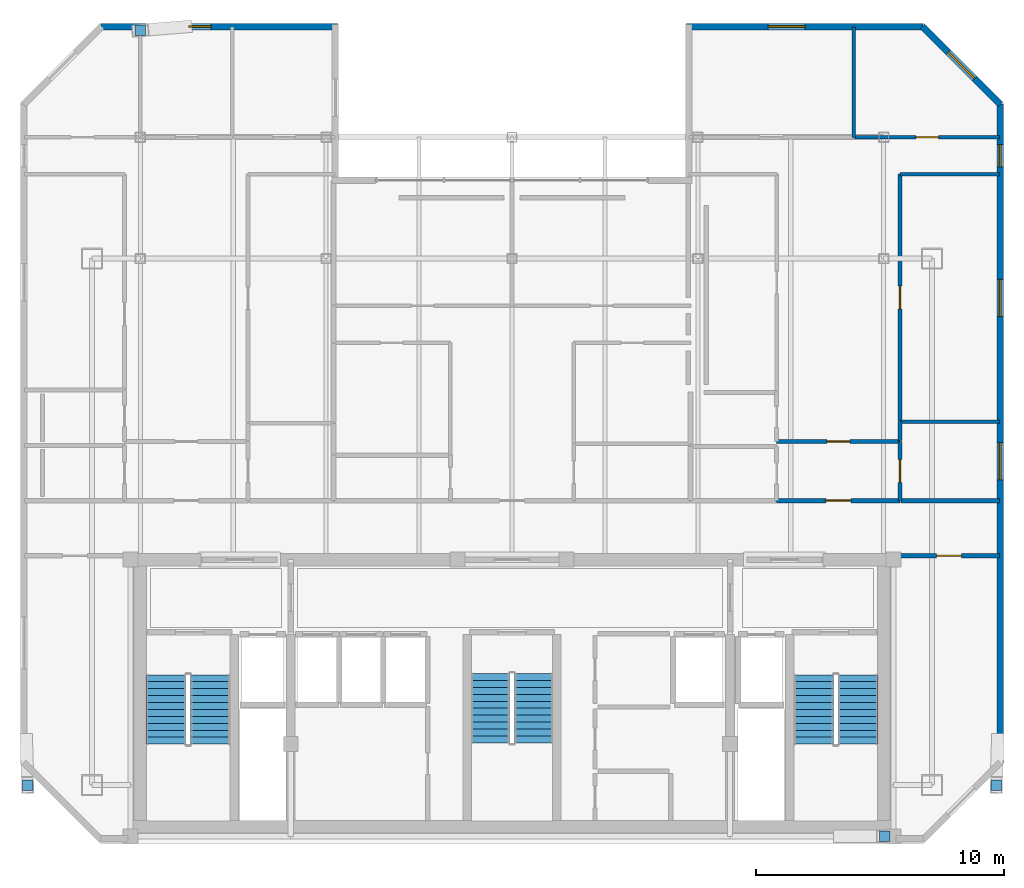
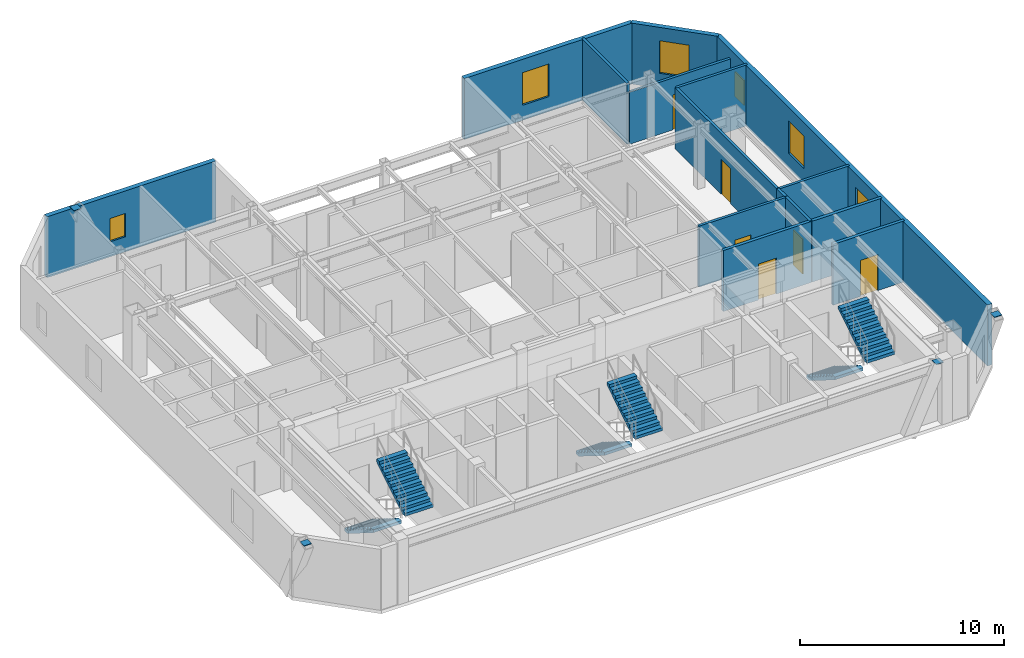
# One storey, part 9 of 10: 15 walls, 6 doors, 6 stair flights, 6 windows, 4 discrete accessories, 12 openings, 3 elements without a shape of their own.
"""IFC4 building model written with IfcOpenShell, lengths in metres."""

import ifcopenshell
import ifcopenshell.guid

model = None  # the IFC model being written
_history = None  # IfcOwnerHistory: only IFC2X3 demands one
_inside = {}  # id of a spatial element -> (the spatial element, [elements in it])
_under = {}  # id of a project, library or spatial element -> (it, [spatial elements below it])
_declared = {}  # id of a project -> (the project, [libraries it declares])
_typed = {}  # id of a type object -> (the type object, [elements of that type])
_made_of = {}  # id of a material, layer set ... -> (it, [elements and type objects made of it])


def new_model(schema):
    """Start an empty IFC model of exactly this schema.

    Asked for "IFC4X3", IfcOpenShell would pick the latest addendum, in which some entities
    have other attributes; the version numbers below select the first issue.
    IFC2X3 requires an IfcOwnerHistory on every rooted entity: one is made here for all.
    """
    global model, _history
    if schema == "IFC4X3":
        model = ifcopenshell.file(schema_version=(4, 3, 0, 0))
    else:
        model = ifcopenshell.file(schema=schema)
    _inside.clear()
    _under.clear()
    _declared.clear()
    _typed.clear()
    _made_of.clear()
    _history = None
    if model.schema == "IFC2X3":
        org = make("IfcOrganization", Name="unknown")
        user = make(
            "IfcPersonAndOrganization",
            ThePerson=make("IfcPerson", FamilyName="unknown"),
            TheOrganization=org,
        )
        app = make(
            "IfcApplication",
            ApplicationDeveloper=org,
            Version="unknown",
            ApplicationFullName="unknown",
            ApplicationIdentifier="unknown",
        )
        _history = make(
            "IfcOwnerHistory",
            OwningUser=user,
            OwningApplication=app,
            ChangeAction="ADDED",
            CreationDate=0,
        )
    return model


def make(cls, **values):
    """One entity of the class cls with the attributes given. An attribute that is None is left unset."""
    return model.create_entity(
        cls, **{name: value for name, value in values.items() if value is not None}
    )


def rooted(cls, **values):
    """An entity with a GlobalId (a new one), such as an element, a storey or a relation."""
    return make(cls, GlobalId=ifcopenshell.guid.new(), OwnerHistory=_history, **values)


def si_unit(unit_type, name, prefix=None):
    """IfcSIUnit, for example si_unit("LENGTHUNIT", "METRE", prefix="MILLI")."""
    return make("IfcSIUnit", UnitType=unit_type, Prefix=prefix, Name=name)


def assignment(units):
    """IfcUnitAssignment: the units of a project."""
    return None if units is None else make("IfcUnitAssignment", Units=units)


def point(xyz):
    """IfcCartesianPoint."""
    return None if xyz is None else make("IfcCartesianPoint", Coordinates=xyz)


def direction(xyz):
    """IfcDirection."""
    return None if xyz is None else make("IfcDirection", DirectionRatios=xyz)


def frame(location, z_axis=None, x_axis=None):
    """IfcAxis2Placement3D, a coordinate frame: its origin and axes. An axis left out is left unset."""
    return make(
        "IfcAxis2Placement3D",
        Location=point(location),
        Axis=direction(z_axis),
        RefDirection=direction(x_axis),
    )


def frame_2d(location, x_axis=None):
    """IfcAxis2Placement2D, a coordinate frame in the plane: its origin and x axis."""
    return make(
        "IfcAxis2Placement2D", Location=point(location), RefDirection=direction(x_axis)
    )


def origin():
    """The frame at (0, 0, 0) with its axes left unset."""
    return frame((0.0, 0.0, 0.0))


def origin_2d():
    """The frame at (0, 0) in the plane with its x axis left unset."""
    return frame_2d((0.0, 0.0))


def place(relative_to, where):
    """IfcLocalPlacement: puts the frame where relative to a parent placement (None: the world)."""
    return make(
        "IfcLocalPlacement", PlacementRelTo=relative_to, RelativePlacement=where
    )


def context(
    kind, dimensions, precision=None, world=None, true_north=None, identifier=None
):
    """IfcGeometricRepresentationContext, for example the 3D "Model" context."""
    return make(
        "IfcGeometricRepresentationContext",
        ContextIdentifier=identifier,
        ContextType=kind,
        CoordinateSpaceDimension=dimensions,
        Precision=precision,
        WorldCoordinateSystem=world,
        TrueNorth=true_north,
    )


def subcontext(parent, identifier, kind, view, scale=None):
    """IfcGeometricRepresentationSubContext, for example "Body" below "Model"."""
    return make(
        "IfcGeometricRepresentationSubContext",
        ContextIdentifier=identifier,
        ContextType=kind,
        ParentContext=parent,
        TargetScale=scale,
        TargetView=view,
    )


def project(units=None, contexts=None):
    """IfcProject with its units and contexts."""
    return rooted(
        "IfcProject",
        Name="project",
        RepresentationContexts=contexts,
        UnitsInContext=assignment(units),
    )


def spatial(cls, under=None, at=None, **own):
    """A site, building, storey or space (cls), placed at a placement, below another one or the project."""
    s = rooted(cls, ObjectPlacement=at, **own)
    if under is not None:
        _under.setdefault(under.id(), (under, []))[1].append(s)
    return s


def polyline(points):
    """IfcPolyline through the points."""
    return make("IfcPolyline", Points=[point(p) for p in points])


def profile(cls, at=None, kind="AREA", **sizes):
    """A parametric profile (cls). Its sizes go by their IFC names, for example OverallWidth=200.0."""
    return make(cls, ProfileType=kind, Position=at, **sizes)


def rectangle(**sizes):
    """IfcRectangleProfileDef."""
    return profile("IfcRectangleProfileDef", **sizes)


def outline(outer, holes=None, kind="AREA"):
    """IfcArbitraryClosedProfileDef: a profile drawn as a closed curve; with holes, ...WithVoids."""
    if holes is None:
        return make("IfcArbitraryClosedProfileDef", ProfileType=kind, OuterCurve=outer)
    return make(
        "IfcArbitraryProfileDefWithVoids",
        ProfileType=kind,
        OuterCurve=outer,
        InnerCurves=holes,
    )


def extrude(swept, where, along, depth):
    """IfcExtrudedAreaSolid: the profile swept, set in the frame where, extruded along a direction by depth."""
    return make(
        "IfcExtrudedAreaSolid",
        SweptArea=swept,
        Position=where,
        ExtrudedDirection=direction(along),
        Depth=depth,
    )


def shape(context_of_items, identifier, shape_type, items):
    """IfcShapeRepresentation: the items that make up one representation, for example the "Body"."""
    return make(
        "IfcShapeRepresentation",
        ContextOfItems=context_of_items,
        RepresentationIdentifier=identifier,
        RepresentationType=shape_type,
        Items=items,
    )


def material(Name=None, Category=None):
    """IfcMaterial."""
    return make("IfcMaterial", Name=Name, Category=Category)


def layer(
    of_material, thickness, ventilated=None, Name=None, Category=None, Priority=None
):
    """IfcMaterialLayer: one layer of a wall or slab, of a material (None: an air gap)."""
    return make(
        "IfcMaterialLayer",
        Material=of_material,
        LayerThickness=thickness,
        IsVentilated=ventilated,
        Name=Name,
        Category=Category,
        Priority=Priority,
    )


def layer_set(layers, Name=None):
    """IfcMaterialLayerSet."""
    return make("IfcMaterialLayerSet", MaterialLayers=layers, LayerSetName=Name)


def made_of(thing, what):
    """Note that an element or type object is made of a material, layer set ...; save() writes the relation."""
    if what is not None:
        _made_of.setdefault(what.id(), (what, []))[1].append(thing)
    return thing


def type_object(cls, material=None, **own):
    """A type object (cls), such as IfcWallType, which elements share."""
    return made_of(rooted(cls, **own), material)


def element(
    cls,
    number,
    at=None,
    inside=None,
    cuts=None,
    type_object=None,
    material=None,
    context=None,
    identifier="Body",
    shape_type=None,
    held_by="IfcProductDefinitionShape",
    body=None,
    shapes=None,
    **own,
):
    """One element of the class cls, such as IfcWall. Its Tag is "e" and its number.

    at: its placement. inside: the storey or other place that contains it. cuts: it is an
    opening in that element (IfcRelVoidsElement). A single representation is given by context,
    identifier, shape_type and body (its items); several are given by shapes. held_by: the class
    of the entity that holds the representations. save() writes the other relations.
    """
    e = rooted(cls, Tag="e%d" % number, ObjectPlacement=at, **own)
    if body is not None:
        shapes = [shape(context, identifier, shape_type, body)]
    if shapes is not None:
        e.Representation = make(held_by, Representations=shapes)
    if inside is not None:
        _inside.setdefault(inside.id(), (inside, []))[1].append(e)
    if cuts is not None:
        rooted(
            "IfcRelVoidsElement", RelatingBuildingElement=cuts, RelatedOpeningElement=e
        )
    if type_object is not None:
        _typed.setdefault(type_object.id(), (type_object, []))[1].append(e)
    return made_of(e, material)


def fill(opening, filler):
    """IfcRelFillsElement: the door or window that sits in an opening."""
    return rooted(
        "IfcRelFillsElement",
        RelatingOpeningElement=opening,
        RelatedBuildingElement=filler,
    )


def aggregate(whole, parts):
    """IfcRelAggregates: a whole, such as a stair, and the parts it consists of."""
    return rooted("IfcRelAggregates", RelatingObject=whole, RelatedObjects=parts)


def save(model, path):
    """Write the relations noted so far, then the file.

    IfcRelAggregates (storeys below a building ...), IfcRelContainedInSpatialStructure (elements
    in a storey), IfcRelDefinesByType, IfcRelAssociatesMaterial and IfcRelDeclares: one each for
    every whole, place, type object, material and project.
    """
    for whole, parts in _under.values():
        aggregate(whole, parts)
    for where, things in _inside.values():
        rooted(
            "IfcRelContainedInSpatialStructure",
            RelatedElements=things,
            RelatingStructure=where,
        )
    for kind, things in _typed.values():
        rooted("IfcRelDefinesByType", RelatedObjects=things, RelatingType=kind)
    for what, things in _made_of.values():
        rooted("IfcRelAssociatesMaterial", RelatedObjects=things, RelatingMaterial=what)
    for by, libraries in _declared.values():
        rooted("IfcRelDeclares", RelatingContext=by, RelatedDefinitions=libraries)
    model.write(path)


model = new_model("IFC4")

# Units and contexts
model_context = context("Model", 3, precision=1e-05, world=origin(), true_north=direction((0.0, 1.0)))
body_context = subcontext(model_context, "Body", "Model", "MODEL_VIEW")
ifc_project = project(units=[si_unit("LENGTHUNIT", "METRE"), si_unit("AREAUNIT", "SQUARE_METRE"), si_unit("VOLUMEUNIT", "CUBIC_METRE"), si_unit("PLANEANGLEUNIT", "RADIAN"), si_unit("MASSUNIT", "GRAM", prefix="KILO")], contexts=[model_context])

# Site, building, storey
site_placement = place(None, origin())
site = spatial("IfcSite", under=ifc_project, at=site_placement, CompositionType="ELEMENT")
building_placement = place(site_placement, origin())
building = spatial("IfcBuilding", under=site, at=building_placement, Name="Ventersveld Concourse Tower", CompositionType="ELEMENT")
storey_placement = place(building_placement, frame((0.0, 0.0, 313.050048828125)))
storey = spatial("IfcBuildingStorey", under=building, at=storey_placement, Name="L77", CompositionType="ELEMENT", Elevation=313.050048828125)

# Wall, opening, door
ifc_material_1 = material(Name="Fire-rated autoclaved aerated masonry blockwork", Category="masonry")
ifc_layer_1 = layer(ifc_material_1, 0.179931640625)
ifc_layer_set_1 = layer_set([ifc_layer_1], Name="Fire-rated autoclaved aerated masonry blockwork")
wall_type_1 = type_object("IfcWallType", Name="WL-CORR-180", PredefinedType="PARTITIONING", material=ifc_layer_set_1)
wall_1_placement = place(storey_placement, frame((44.35498046875, 11.60009765625, 0.0), z_axis=(0.0, 0.0, 1.0), x_axis=(1.0, 0.0, 0.0)))
wall_1 = element("IfcWall", 1, at=wall_1_placement, inside=storey, type_object=wall_type_1, Name="L77 Interior Partition SP-L77-SE-OFF-SP-L77-COR", PredefinedType="PARTITIONING", context=body_context, shape_type="SweptSolid", body=[
    extrude(rectangle(XDim=4.07373046875, YDim=0.179931640625, at=frame_2d((2.036865234375, 0.0))), origin(), (0.0, 0.0, 1.0), 3.64990234375),
])
opening_1_placement = place(wall_1_placement, frame((1.536865234375, 0.0, 0.0)))
opening_1 = element("IfcOpeningElement", 2, at=opening_1_placement, cuts=wall_1, Name="Opening FD3", PredefinedType="OPENING", context=body_context, shape_type="SweptSolid", body=[
    extrude(rectangle(XDim=1.0, YDim=2.14990234375, at=frame_2d((0.5, 1.074951171875))), frame((0.0, 0.10009765625, 0.0), z_axis=(0.0, -1.0, 0.0), x_axis=(1.0, 0.0, 0.0)), (0.0, 0.0, 1.0), 0.199951171875),
])
ifc_material_2 = material(Name="Solid-core hardwood veneer timber", Category="wood")
door_type_1 = type_object("IfcDoorType", Name="DR-FLAT-100", OperationType="NOTDEFINED", PredefinedType="DOOR", material=ifc_material_2)
door_1_placement = place(opening_1_placement, origin())
door_1 = element("IfcDoor", 3, at=door_1_placement, inside=storey, type_object=door_type_1, Name="L77 Interior Door SP-L77-SE-OFF to SP-L77-COR (D-L77-3526)", OperationType="SINGLE_SWING_RIGHT", OverallHeight=2.14990234375, OverallWidth=1.0, PredefinedType="DOOR", context=body_context, shape_type="SweptSolid", body=[
    extrude(rectangle(XDim=1.0, YDim=2.14990234375, at=frame_2d((0.5, 1.074951171875))), frame((0.0, 0.02490234375, 0.0), z_axis=(0.0, -1.0, 0.0), x_axis=(1.0, 0.0, 0.0)), (0.0, 0.0, 1.0), 0.050048828125),
])
fill(opening_1, door_1)

wall_2_placement = place(storey_placement, frame((39.427490234375, 13.830078125, 0.0), z_axis=(0.0, 0.0, 1.0), x_axis=(1.0, 0.0, 0.0)))
wall_2 = element("IfcWall", 4, at=wall_2_placement, inside=storey, type_object=wall_type_1, Name="L77 Interior Partition SP-L77-COR-SP-L77-77CE-FOY", PredefinedType="PARTITIONING", context=body_context, shape_type="SweptSolid", body=[
    extrude(rectangle(XDim=4.989990234375, YDim=0.179931640625, at=frame_2d((2.4951171875, 0.0))), origin(), (0.0, 0.0, 1.0), 3.64990234375),
])
opening_2_placement = place(wall_2_placement, frame((1.9951171875, 0.0, 0.0)))
opening_2 = element("IfcOpeningElement", 5, at=opening_2_placement, cuts=wall_2, Name="Opening FD3", PredefinedType="OPENING", context=body_context, shape_type="SweptSolid", body=[
    extrude(rectangle(XDim=1.0, YDim=2.14990234375, at=frame_2d((0.5, 1.074951171875))), frame((0.0, 0.10009765625, 0.0), z_axis=(0.0, -1.0, 0.0), x_axis=(1.0, 0.0, 0.0)), (0.0, 0.0, 1.0), 0.199951171875),
])
door_2_placement = place(opening_2_placement, origin())
door_2 = element("IfcDoor", 6, at=door_2_placement, inside=storey, type_object=door_type_1, Name="L77 Interior Door SP-L77-COR to SP-L77-77CE-FOY (FD-L77-3528)", OperationType="SINGLE_SWING_RIGHT", OverallHeight=2.14990234375, OverallWidth=1.0, PredefinedType="DOOR", context=body_context, shape_type="SweptSolid", body=[
    extrude(rectangle(XDim=1.0, YDim=2.14990234375, at=frame_2d((0.5, 1.074951171875))), frame((0.0, 0.02490234375, 0.0), z_axis=(0.0, -1.0, 0.0), x_axis=(1.0, 0.0, 0.0)), (0.0, 0.0, 1.0), 0.050048828125),
])
fill(opening_2, door_2)

# Wall
wall_3_placement = place(storey_placement, frame((44.447509765625, 13.830078125, 0.0), z_axis=(0.0, 0.0, 1.0), x_axis=(1.0, 0.0, 0.0)))
element("IfcWall", 7, at=wall_3_placement, inside=storey, type_object=wall_type_1, Name="L77 Interior Partition SP-L77-COR-SP-L77-77CE-KIT", PredefinedType="PARTITIONING", context=body_context, shape_type="SweptSolid", body=[
    extrude(rectangle(XDim=3.981201171875, YDim=0.179931640625, at=frame_2d((1.99072265625, 0.0))), origin(), (0.0, 0.0, 1.0), 3.64990234375),
])

# Wall, opening, door
ifc_material_3 = material(Name="Autoclaved aerated masonry blockwork", Category="masonry")
ifc_layer_2 = layer(ifc_material_3, 0.14990234375)
ifc_layer_set_2 = layer_set([ifc_layer_2], Name="Autoclaved aerated masonry blockwork")
wall_type_2 = type_object("IfcWallType", Name="WL-INT-150", PredefinedType="PARTITIONING", material=ifc_layer_set_2)
wall_4_placement = place(storey_placement, frame((39.427490234375, 16.216552734375, 0.0), z_axis=(0.0, 0.0, 1.0), x_axis=(1.0, 0.0, 0.0)))
wall_4 = element("IfcWall", 8, at=wall_4_placement, inside=storey, type_object=wall_type_2, Name="L77 Interior Partition SP-L77-77CE-FOY-SP-L77-77CE-LIV", PredefinedType="PARTITIONING", context=body_context, shape_type="SweptSolid", body=[
    extrude(rectangle(XDim=4.989990234375, YDim=0.14990234375, at=frame_2d((2.4951171875, 0.0))), origin(), (0.0, 0.0, 1.0), 3.64990234375),
])
opening_3_placement = place(wall_4_placement, frame((2.034912109375, 0.0, 0.0)))
opening_3 = element("IfcOpeningElement", 9, at=opening_3_placement, cuts=wall_4, Name="Opening ID1", PredefinedType="OPENING", context=body_context, shape_type="SweptSolid", body=[
    extrude(rectangle(XDim=0.919921875, YDim=2.10009765625, at=frame_2d((0.4599609375, 1.050048828125))), frame((0.0, 0.0849609375, 0.0), z_axis=(0.0, -1.0, 0.0), x_axis=(1.0, 0.0, 0.0)), (0.0, 0.0, 1.0), 0.169921875),
])
door_type_2 = type_object("IfcDoorType", Name="DR-ROOM-092", OperationType="NOTDEFINED", PredefinedType="DOOR", material=ifc_material_2)
door_3_placement = place(opening_3_placement, origin())
door_3 = element("IfcDoor", 10, at=door_3_placement, inside=storey, type_object=door_type_2, Name="L77 Interior Door SP-L77-77CE-FOY to SP-L77-77CE-LIV (D-L77-3539)", OperationType="SINGLE_SWING_LEFT", OverallHeight=2.10009765625, OverallWidth=0.919921875, PredefinedType="DOOR", context=body_context, shape_type="SweptSolid", body=[
    extrude(rectangle(XDim=0.919921875, YDim=2.10009765625, at=frame_2d((0.4599609375, 1.050048828125))), frame((0.0, 0.02490234375, 0.0), z_axis=(0.0, -1.0, 0.0), x_axis=(1.0, 0.0, 0.0)), (0.0, 0.0, 1.0), 0.050048828125),
])
fill(opening_3, door_3)

wall_5_placement = place(storey_placement, frame((44.41259765625, 13.824951171875, 0.0), z_axis=(0.0, 0.0, 1.0), x_axis=(0.0, 1.0, 0.0)))
wall_5 = element("IfcWall", 11, at=wall_5_placement, inside=storey, type_object=wall_type_2, Name="L77 Interior Partition SP-L77-77CE-FOY-SP-L77-77CE-KIT", PredefinedType="PARTITIONING", context=body_context, shape_type="SweptSolid", body=[
    extrude(rectangle(XDim=2.396728515625, YDim=0.14990234375, at=frame_2d((1.1982421875, 0.0))), origin(), (0.0, 0.0, 1.0), 3.64990234375),
])
opening_4_placement = place(wall_5_placement, frame((0.73828125, 0.0, 0.0)))
opening_4 = element("IfcOpeningElement", 12, at=opening_4_placement, cuts=wall_5, Name="Opening ID1", PredefinedType="OPENING", context=body_context, shape_type="SweptSolid", body=[
    extrude(rectangle(XDim=0.919921875, YDim=2.10009765625, at=frame_2d((0.4599609375, 1.050048828125))), frame((0.0, 0.0849609375, 0.0), z_axis=(0.0, -1.0, 0.0), x_axis=(1.0, 0.0, 0.0)), (0.0, 0.0, 1.0), 0.169921875),
])
door_4_placement = place(opening_4_placement, origin())
door_4 = element("IfcDoor", 13, at=door_4_placement, inside=storey, type_object=door_type_2, Name="L77 Interior Door SP-L77-77CE-FOY to SP-L77-77CE-KIT (D-L77-3541)", OperationType="SINGLE_SWING_LEFT", OverallHeight=2.10009765625, OverallWidth=0.919921875, PredefinedType="DOOR", context=body_context, shape_type="SweptSolid", body=[
    extrude(rectangle(XDim=0.919921875, YDim=2.10009765625, at=frame_2d((0.4599609375, 1.050048828125))), frame((0.0, 0.02490234375, 0.0), z_axis=(0.0, -1.0, 0.0), x_axis=(1.0, 0.0, 0.0)), (0.0, 0.0, 1.0), 0.050048828125),
])
fill(opening_4, door_4)

# Wall
wall_6_placement = place(storey_placement, frame((44.41259765625, 16.251708984375, 0.0), z_axis=(0.0, 0.0, 1.0), x_axis=(0.0, 1.0, 0.0)))
element("IfcWall", 14, at=wall_6_placement, inside=storey, type_object=wall_type_2, Name="L77 Interior Partition SP-L77-77CE-LIV-SP-L77-77CE-KIT", PredefinedType="PARTITIONING", context=body_context, shape_type="SweptSolid", body=[
    extrude(rectangle(XDim=0.767333984375, YDim=0.14990234375, at=frame_2d((0.3837890625, 0.0))), origin(), (0.0, 0.0, 1.0), 3.64990234375),
])

# Wall, opening, door
wall_7_placement = place(storey_placement, frame((44.41259765625, 17.049072265625, 0.0), z_axis=(0.0, 0.0, 1.0), x_axis=(0.0, 1.0, 0.0)))
wall_7 = element("IfcWall", 15, at=wall_7_placement, inside=storey, type_object=wall_type_2, Name="L77 Interior Partition SP-L77-77CE-LIV-SP-L77-77CE-SEMR1", PredefinedType="PARTITIONING", context=body_context, shape_type="SweptSolid", body=[
    extrude(rectangle(XDim=9.955810546875, YDim=0.14990234375, at=frame_2d((4.97802734375, 0.0))), origin(), (0.0, 0.0, 1.0), 3.64990234375),
])
opening_5_placement = place(wall_7_placement, frame((4.517822265625, 0.0, 0.0)))
opening_5 = element("IfcOpeningElement", 16, at=opening_5_placement, cuts=wall_7, Name="Opening ID1", PredefinedType="OPENING", context=body_context, shape_type="SweptSolid", body=[
    extrude(rectangle(XDim=0.919921875, YDim=2.10009765625, at=frame_2d((0.4599609375, 1.050048828125))), frame((0.0, 0.0849609375, 0.0), z_axis=(0.0, -1.0, 0.0), x_axis=(1.0, 0.0, 0.0)), (0.0, 0.0, 1.0), 0.169921875),
])
door_5_placement = place(opening_5_placement, origin())
door_5 = element("IfcDoor", 17, at=door_5_placement, inside=storey, type_object=door_type_2, Name="L77 Interior Door SP-L77-77CE-LIV to SP-L77-77CE-SEMR1 (D-L77-3544)", OperationType="SINGLE_SWING_RIGHT", OverallHeight=2.10009765625, OverallWidth=0.919921875, PredefinedType="DOOR", context=body_context, shape_type="SweptSolid", body=[
    extrude(rectangle(XDim=0.919921875, YDim=2.10009765625, at=frame_2d((0.4599609375, 1.050048828125))), frame((0.0, 0.02490234375, 0.0), z_axis=(0.0, -1.0, 0.0), x_axis=(1.0, 0.0, 0.0)), (0.0, 0.0, 1.0), 0.050048828125),
])
fill(opening_5, door_5)

# Wall
wall_8_placement = place(storey_placement, frame((44.407470703125, 27.0, 0.0), z_axis=(0.0, 0.0, 1.0), x_axis=(1.0, 0.0, 0.0)))
element("IfcWall", 18, at=wall_8_placement, inside=storey, type_object=wall_type_2, Name="L77 Interior Partition SP-L77-77CE-LIV-SP-L77-77CE-SEMR1", PredefinedType="PARTITIONING", context=body_context, shape_type="SweptSolid", body=[
    extrude(rectangle(XDim=4.021240234375, YDim=0.14990234375, at=frame_2d((2.0107421875, 0.0))), origin(), (0.0, 0.0, 1.0), 3.64990234375),
])

# Wall, opening, door
wall_9_placement = place(storey_placement, frame((42.58349609375, 28.5, 0.0), z_axis=(0.0, 0.0, 1.0), x_axis=(1.0, 0.0, 0.0)))
wall_9 = element("IfcWall", 19, at=wall_9_placement, inside=storey, type_object=wall_type_2, Name="L77 Interior Partition SP-L77-77CE-LIV-SP-L77-77CE-BR2", PredefinedType="PARTITIONING", context=body_context, shape_type="SweptSolid", body=[
    extrude(rectangle(XDim=5.84521484375, YDim=0.14990234375, at=frame_2d((2.922607421875, 0.0))), origin(), (0.0, 0.0, 1.0), 3.116943359375),
])
opening_6_placement = place(wall_9_placement, frame((2.46240234375, 0.0, 0.0)))
opening_6 = element("IfcOpeningElement", 20, at=opening_6_placement, cuts=wall_9, Name="Opening ID1", PredefinedType="OPENING", context=body_context, shape_type="SweptSolid", body=[
    extrude(rectangle(XDim=0.919921875, YDim=2.10009765625, at=frame_2d((0.4599609375, 1.050048828125))), frame((0.0, 0.0849609375, 0.0), z_axis=(0.0, -1.0, 0.0), x_axis=(1.0, 0.0, 0.0)), (0.0, 0.0, 1.0), 0.169921875),
])
door_6_placement = place(opening_6_placement, origin())
door_6 = element("IfcDoor", 21, at=door_6_placement, inside=storey, type_object=door_type_2, Name="L77 Interior Door SP-L77-77CE-LIV to SP-L77-77CE-BR2 (D-L77-3546)", OperationType="SINGLE_SWING_RIGHT", OverallHeight=2.10009765625, OverallWidth=0.919921875, PredefinedType="DOOR", context=body_context, shape_type="SweptSolid", body=[
    extrude(rectangle(XDim=0.919921875, YDim=2.10009765625, at=frame_2d((0.4599609375, 1.050048828125))), frame((0.0, 0.02490234375, 0.0), z_axis=(0.0, -1.0, 0.0), x_axis=(1.0, 0.0, 0.0)), (0.0, 0.0, 1.0), 0.050048828125),
])
fill(opening_6, door_6)

# Walls
wall_10_placement = place(storey_placement, frame((44.407470703125, 17.01416015625, 0.0), z_axis=(0.0, 0.0, 1.0), x_axis=(1.0, 0.0, 0.0)))
element("IfcWall", 22, at=wall_10_placement, inside=storey, type_object=wall_type_2, Name="L77 Interior Partition SP-L77-77CE-KIT-SP-L77-77CE-SEMR1", PredefinedType="PARTITIONING", context=body_context, shape_type="SweptSolid", body=[
    extrude(rectangle(XDim=4.021240234375, YDim=0.14990234375, at=frame_2d((2.0107421875, 0.0))), origin(), (0.0, 0.0, 1.0), 3.64990234375),
])
wall_11_placement = place(storey_placement, frame((42.548583984375, 28.4951171875, 0.0), z_axis=(0.0, 0.0, 1.0), x_axis=(0.0, 1.0, 0.0)))
element("IfcWall", 23, at=wall_11_placement, inside=storey, type_object=wall_type_2, Name="L77 Interior Partition SP-L77-77CE-BR1-SP-L77-77CE-BR2", PredefinedType="PARTITIONING", context=body_context, shape_type="SweptSolid", body=[
    extrude(rectangle(XDim=4.44287109375, YDim=0.14990234375, at=frame_2d((2.221435546875, 0.0))), origin(), (0.0, 0.0, 1.0), 3.64990234375),
])

# Wall, openings, windows
ifc_material_4 = material(Name="Precast concrete C45/55", Category="concrete")
ifc_layer_3 = layer(ifc_material_4, 0.260009765625)
ifc_layer_set_3 = layer_set([ifc_layer_3], Name="Precast concrete C45/55")
wall_type_3 = type_object("IfcWallType", Name="WL-PREC-260", PredefinedType="SOLIDWALL", material=ifc_layer_set_3)
wall_12_placement = place(storey_placement, frame((48.447998046875, 3.239990234375, 0.0), z_axis=(0.0, 0.0, 1.0), x_axis=(0.0, 1.0, 0.0)))
wall_12 = element("IfcWall", 24, at=wall_12_placement, inside=storey, type_object=wall_type_3, Name="L77 Highveld Precast Facade Wall E03", PredefinedType="SOLIDWALL", context=body_context, shape_type="SweptSolid", body=[
    extrude(rectangle(XDim=26.607421875, YDim=0.260009765625, at=frame_2d((13.3037109375, 0.0))), origin(), (0.0, 0.0, 1.0), 3.64990234375),
])
opening_7_placement = place(wall_12_placement, frame((24.06005859375, 0.0, 0.949951171875)))
opening_7 = element("IfcOpeningElement", 25, at=opening_7_placement, cuts=wall_12, Name="Opening W4", PredefinedType="OPENING", context=body_context, shape_type="SweptSolid", body=[
    extrude(rectangle(XDim=0.89990234375, YDim=1.5, at=frame_2d((0.449951171875, 0.75))), frame((0.0, 0.14013671875, 0.0), z_axis=(0.0, -1.0, 0.0), x_axis=(1.0, 0.0, 0.0)), (0.0, 0.0, 1.0), 0.280029296875),
])
opening_8_placement = place(wall_12_placement, frame((11.431884765625, 0.0, 0.89990234375)))
opening_8 = element("IfcOpeningElement", 26, at=opening_8_placement, cuts=wall_12, Name="Opening W1", PredefinedType="OPENING", context=body_context, shape_type="SweptSolid", body=[
    extrude(rectangle(XDim=1.5, YDim=1.949951171875, at=frame_2d((0.75, 0.97509765625))), frame((0.0, 0.14013671875, 0.0), z_axis=(0.0, -1.0, 0.0), x_axis=(1.0, 0.0, 0.0)), (0.0, 0.0, 1.0), 0.280029296875),
])
opening_9_placement = place(wall_12_placement, frame((18.01708984375, 0.0, 0.89990234375)))
opening_9 = element("IfcOpeningElement", 27, at=opening_9_placement, cuts=wall_12, Name="Opening W1", PredefinedType="OPENING", context=body_context, shape_type="SweptSolid", body=[
    extrude(rectangle(XDim=1.5, YDim=1.949951171875, at=frame_2d((0.75, 0.97509765625))), frame((0.0, 0.14013671875, 0.0), z_axis=(0.0, -1.0, 0.0), x_axis=(1.0, 0.0, 0.0)), (0.0, 0.0, 1.0), 0.280029296875),
])
ifc_material_5 = material(Name="Tempered acoustic Low-E IGU", Category="glass")
window_type_1 = type_object("IfcWindowType", Name="WIN-090x150", PartitioningType="SINGLE_PANEL", PredefinedType="WINDOW", material=ifc_material_5)
window_1_placement = place(opening_7_placement, origin())
window_1 = element("IfcWindow", 28, at=window_1_placement, inside=storey, type_object=window_type_1, Name="L77 Punched Low-E Window W-1097", OverallHeight=1.5, OverallWidth=0.89990234375, PartitioningType="SINGLE_PANEL", PredefinedType="WINDOW", context=body_context, shape_type="SweptSolid", body=[
    extrude(rectangle(XDim=0.89990234375, YDim=1.5, at=frame_2d((0.449951171875, 0.75))), frame((0.0, 0.030029296875, 0.0), z_axis=(0.0, -1.0, 0.0), x_axis=(1.0, 0.0, 0.0)), (0.0, 0.0, 1.0), 0.06005859375),
])
fill(opening_7, window_1)
window_type_2 = type_object("IfcWindowType", Name="WIN-150x210", PartitioningType="SINGLE_PANEL", PredefinedType="WINDOW", material=ifc_material_5)
window_2_placement = place(opening_8_placement, origin())
window_2 = element("IfcWindow", 29, at=window_2_placement, inside=storey, type_object=window_type_2, Name="L77 Punched Low-E Window W-1098", OverallHeight=1.949951171875, OverallWidth=1.5, PartitioningType="SINGLE_PANEL", PredefinedType="WINDOW", context=body_context, shape_type="SweptSolid", body=[
    extrude(rectangle(XDim=1.5, YDim=1.949951171875, at=frame_2d((0.75, 0.97509765625))), frame((0.0, 0.030029296875, 0.0), z_axis=(0.0, -1.0, 0.0), x_axis=(1.0, 0.0, 0.0)), (0.0, 0.0, 1.0), 0.06005859375),
])
fill(opening_8, window_2)
window_3_placement = place(opening_9_placement, origin())
window_3 = element("IfcWindow", 30, at=window_3_placement, inside=storey, type_object=window_type_2, Name="L77 Punched Low-E Window W-1099", OverallHeight=1.949951171875, OverallWidth=1.5, PartitioningType="SINGLE_PANEL", PredefinedType="WINDOW", context=body_context, shape_type="SweptSolid", body=[
    extrude(rectangle(XDim=1.5, YDim=1.949951171875, at=frame_2d((0.75, 0.97509765625))), frame((0.0, 0.030029296875, 0.0), z_axis=(0.0, -1.0, 0.0), x_axis=(1.0, 0.0, 0.0)), (0.0, 0.0, 1.0), 0.06005859375),
])
fill(opening_9, window_3)

# Wall, opening, window
wall_13_placement = place(storey_placement, frame((48.4580078125, 29.823974609375, 0.0), z_axis=(0.0, 0.0, 1.0), x_axis=(-0.707134240044, 0.707079321262, 0.0)))
wall_13 = element("IfcWall", 31, at=wall_13_placement, inside=storey, type_object=wall_type_3, Name="L77 Highveld Precast Facade Wall E04", PredefinedType="SOLIDWALL", context=body_context, shape_type="SweptSolid", body=[
    extrude(rectangle(XDim=4.445556640625, YDim=0.260009765625, at=frame_2d((2.22265625, 0.0))), origin(), (0.0, 0.0, 1.0), 3.64990234375),
])
opening_10_placement = place(wall_13_placement, frame((1.47265625, 0.0, 0.89990234375)))
opening_10 = element("IfcOpeningElement", 32, at=opening_10_placement, cuts=wall_13, Name="Opening W1", PredefinedType="OPENING", context=body_context, shape_type="SweptSolid", body=[
    extrude(rectangle(XDim=1.5, YDim=1.949951171875, at=frame_2d((0.75, 0.97509765625))), frame((0.0, 0.14013671875, 0.0), z_axis=(0.0, -1.0, 0.0), x_axis=(1.0, 0.0, 0.0)), (0.0, 0.0, 1.0), 0.280029296875),
])
window_4_placement = place(opening_10_placement, origin())
window_4 = element("IfcWindow", 33, at=window_4_placement, inside=storey, type_object=window_type_2, Name="L77 Punched Low-E Window W-1101", OverallHeight=1.949951171875, OverallWidth=1.5, PartitioningType="SINGLE_PANEL", PredefinedType="WINDOW", context=body_context, shape_type="SweptSolid", body=[
    extrude(rectangle(XDim=1.5, YDim=1.949951171875, at=frame_2d((0.75, 0.97509765625))), frame((0.0, 0.030029296875, 0.0), z_axis=(0.0, -1.0, 0.0), x_axis=(1.0, 0.0, 0.0)), (0.0, 0.0, 1.0), 0.06005859375),
])
fill(opening_10, window_4)

wall_14_placement = place(storey_placement, frame((45.338134765625, 32.95751953125, 0.0), z_axis=(0.0, 0.0, 1.0), x_axis=(-1.0, 0.0, 0.0)))
wall_14 = element("IfcWall", 34, at=wall_14_placement, inside=storey, type_object=wall_type_3, Name="L77 Highveld Precast Facade Wall E05", PredefinedType="SOLIDWALL", context=body_context, shape_type="SweptSolid", body=[
    extrude(rectangle(XDim=9.548095703125, YDim=0.260009765625, at=frame_2d((4.77392578125, 0.0))), origin(), (0.0, 0.0, 1.0), 3.64990234375),
])
opening_11_placement = place(wall_14_placement, frame((4.753662109375, 0.0, 0.89990234375)))
opening_11 = element("IfcOpeningElement", 35, at=opening_11_placement, cuts=wall_14, Name="Opening W1", PredefinedType="OPENING", context=body_context, shape_type="SweptSolid", body=[
    extrude(rectangle(XDim=1.5, YDim=1.949951171875, at=frame_2d((0.75, 0.97509765625))), frame((0.0, 0.14013671875, 0.0), z_axis=(0.0, -1.0, 0.0), x_axis=(1.0, 0.0, 0.0)), (0.0, 0.0, 1.0), 0.280029296875),
])
window_5_placement = place(opening_11_placement, origin())
window_5 = element("IfcWindow", 36, at=window_5_placement, inside=storey, type_object=window_type_2, Name="L77 Punched Low-E Window W-1100", OverallHeight=1.949951171875, OverallWidth=1.5, PartitioningType="SINGLE_PANEL", PredefinedType="WINDOW", context=body_context, shape_type="SweptSolid", body=[
    extrude(rectangle(XDim=1.5, YDim=1.949951171875, at=frame_2d((0.75, 0.97509765625))), frame((0.0, 0.030029296875, 0.0), z_axis=(0.0, -1.0, 0.0), x_axis=(1.0, 0.0, 0.0)), (0.0, 0.0, 1.0), 0.06005859375),
])
fill(opening_11, window_5)

wall_15_placement = place(storey_placement, frame((21.7099609375, 32.95751953125, 0.0), z_axis=(0.0, 0.0, 1.0), x_axis=(-1.0, 0.0, 0.0)))
wall_15 = element("IfcWall", 37, at=wall_15_placement, inside=storey, type_object=wall_type_3, Name="L77 Highveld Precast Facade Wall E09", PredefinedType="SOLIDWALL", context=body_context, shape_type="SweptSolid", body=[
    extrude(rectangle(XDim=9.548095703125, YDim=0.260009765625, at=frame_2d((4.77392578125, 0.0))), origin(), (0.0, 0.0, 1.0), 3.64990234375),
])
opening_12_placement = place(wall_15_placement, frame((5.107666015625, 0.0, 0.89990234375)))
opening_12 = element("IfcOpeningElement", 38, at=opening_12_placement, cuts=wall_15, Name="Opening W8", PredefinedType="OPENING", context=body_context, shape_type="SweptSolid", body=[
    extrude(rectangle(XDim=0.89990234375, YDim=1.39990234375, at=frame_2d((0.449951171875, 0.699951171875))), frame((0.0, 0.14013671875, 0.0), z_axis=(0.0, -1.0, 0.0), x_axis=(1.0, 0.0, 0.0)), (0.0, 0.0, 1.0), 0.280029296875),
])
window_type_3 = type_object("IfcWindowType", Name="WIN-090x140", PartitioningType="SINGLE_PANEL", PredefinedType="WINDOW", material=ifc_material_5)
window_6_placement = place(opening_12_placement, origin())
window_6 = element("IfcWindow", 39, at=window_6_placement, inside=storey, type_object=window_type_3, Name="L77 Punched Low-E Window W-1095", OverallHeight=1.39990234375, OverallWidth=0.89990234375, PartitioningType="SINGLE_PANEL", PredefinedType="WINDOW", context=body_context, shape_type="SweptSolid", body=[
    extrude(rectangle(XDim=0.89990234375, YDim=1.39990234375, at=frame_2d((0.449951171875, 0.699951171875))), frame((0.0, 0.030029296875, 0.0), z_axis=(0.0, -1.0, 0.0), x_axis=(1.0, 0.0, 0.0)), (0.0, 0.0, 1.0), 0.06005859375),
])
fill(opening_12, window_6)

# Stair, stair flights
ifc_material_6 = material(Name="Concrete C50/60", Category="concrete")
stair_type_1 = type_object("IfcStairType", Name="ST-DOG-155", PredefinedType="HALF_TURN_STAIR", material=ifc_material_6)
stair_1_placement = place(storey_placement, origin())
stair_1 = element("IfcStair", 40, at=stair_1_placement, inside=storey, type_object=stair_type_1, Name="L77 Protected Central Core Escape Stair ST-03", PredefinedType="HALF_TURN_STAIR")
stair_flight_type_1 = type_object("IfcStairFlightType", Name="STF-RC-155", PredefinedType="STRAIGHT", material=ifc_material_6)
stair_flight_1_placement = place(storey_placement, frame((27.875, 6.85009765625, 0.0), z_axis=(0.0, 0.0, 1.0), x_axis=(0.0, -1.0, 0.0)))
stair_flight_1 = element("IfcStairFlight", 41, at=stair_flight_1_placement, type_object=stair_flight_type_1, Name="ST-03 flight 1", NumberOfRisers=11, NumberOfTreads=10, PredefinedType="STRAIGHT", RiserHeight=0.175, TreadLength=0.28, context=body_context, shape_type="SweptSolid", body=[
    extrude(outline(polyline([(0.0, 0.0), (0.0, 0.175048828125), (0.280029296875, 0.175048828125), (0.280029296875, 0.35009765625), (0.56005859375, 0.35009765625), (0.56005859375, 0.52490234375), (0.840087890625, 0.52490234375), (0.840087890625, 0.699951171875), (1.1201171875, 0.699951171875), (1.1201171875, 0.875), (1.39990234375, 0.875), (1.39990234375, 1.050048828125), (1.679931640625, 1.050048828125), (1.679931640625, 1.22509765625), (1.9599609375, 1.22509765625), (1.9599609375, 1.39990234375), (2.239990234375, 1.39990234375), (2.239990234375, 1.574951171875), (2.52001953125, 1.574951171875), (2.52001953125, 1.75), (2.800048828125, 1.75), (2.800048828125, 1.925048828125), (2.800048828125, 1.5732421875), (0.28271484375, 0.0), (0.0, 0.0)])), frame((0.0, 0.77490234375, 0.0), z_axis=(0.0, -1.0, 0.0), x_axis=(1.0, 0.0, 0.0)), (0.0, 0.0, 1.0), 1.550048828125),
])
stair_flight_2_placement = place(storey_placement, frame((29.625, 4.050048828125, 1.925048828125), z_axis=(0.0, 0.0, 1.0), x_axis=(0.0, 1.0, 0.0)))
stair_flight_2 = element("IfcStairFlight", 42, at=stair_flight_2_placement, type_object=stair_flight_type_1, Name="ST-03 flight 2", NumberOfRisers=11, NumberOfTreads=10, PredefinedType="STRAIGHT", RiserHeight=0.175, TreadLength=0.28, context=body_context, shape_type="SweptSolid", body=[
    extrude(outline(polyline([(0.0, 0.0), (0.0, 0.175048828125), (0.280029296875, 0.175048828125), (0.280029296875, 0.35009765625), (0.56005859375, 0.35009765625), (0.56005859375, 0.52490234375), (0.840087890625, 0.52490234375), (0.840087890625, 0.699951171875), (1.1201171875, 0.699951171875), (1.1201171875, 0.875), (1.39990234375, 0.875), (1.39990234375, 1.050048828125), (1.679931640625, 1.050048828125), (1.679931640625, 1.22509765625), (1.9599609375, 1.22509765625), (1.9599609375, 1.39990234375), (2.239990234375, 1.39990234375), (2.239990234375, 1.574951171875), (2.52001953125, 1.574951171875), (2.52001953125, 1.75), (2.800048828125, 1.75), (2.800048828125, 1.925048828125), (2.800048828125, 1.5732421875), (0.28271484375, 0.0), (0.0, 0.0)])), frame((0.0, 0.77490234375, 0.0), z_axis=(0.0, -1.0, 0.0), x_axis=(1.0, 0.0, 0.0)), (0.0, 0.0, 1.0), 1.550048828125),
])
aggregate(stair_1, [stair_flight_1, stair_flight_2])

stair_type_2 = type_object("IfcStairType", Name="ST-DOG-160", PredefinedType="HALF_TURN_STAIR", material=ifc_material_6)
stair_2_placement = place(storey_placement, origin())
stair_2 = element("IfcStair", 43, at=stair_2_placement, inside=storey, type_object=stair_type_2, Name="L77 Protected Tower Escape Stair ST-01", PredefinedType="HALF_TURN_STAIR")
stair_flight_type_2 = type_object("IfcStairFlightType", Name="STF-RC-160", PredefinedType="STRAIGHT", material=ifc_material_6)
stair_flight_3_placement = place(storey_placement, frame((14.780029296875, 6.800048828125, 0.0), z_axis=(0.0, 0.0, 1.0), x_axis=(0.0, -1.0, 0.0)))
stair_flight_3 = element("IfcStairFlight", 44, at=stair_flight_3_placement, type_object=stair_flight_type_2, Name="ST-01 flight 1", NumberOfRisers=11, NumberOfTreads=10, PredefinedType="STRAIGHT", RiserHeight=0.175, TreadLength=0.28, context=body_context, shape_type="SweptSolid", body=[
    extrude(outline(polyline([(0.0, 0.0), (0.0, 0.175048828125), (0.280029296875, 0.175048828125), (0.280029296875, 0.35009765625), (0.56005859375, 0.35009765625), (0.56005859375, 0.52490234375), (0.840087890625, 0.52490234375), (0.840087890625, 0.699951171875), (1.1201171875, 0.699951171875), (1.1201171875, 0.875), (1.39990234375, 0.875), (1.39990234375, 1.050048828125), (1.679931640625, 1.050048828125), (1.679931640625, 1.22509765625), (1.9599609375, 1.22509765625), (1.9599609375, 1.39990234375), (2.239990234375, 1.39990234375), (2.239990234375, 1.574951171875), (2.52001953125, 1.574951171875), (2.52001953125, 1.75), (2.800048828125, 1.75), (2.800048828125, 1.925048828125), (2.800048828125, 1.5732421875), (0.28271484375, 0.0), (0.0, 0.0)])), frame((0.0, 0.800048828125, 0.0), z_axis=(0.0, -1.0, 0.0), x_axis=(1.0, 0.0, 0.0)), (0.0, 0.0, 1.0), 1.60009765625),
])
stair_flight_4_placement = place(storey_placement, frame((16.580078125, 4.0, 1.925048828125), z_axis=(0.0, 0.0, 1.0), x_axis=(0.0, 1.0, 0.0)))
stair_flight_4 = element("IfcStairFlight", 45, at=stair_flight_4_placement, type_object=stair_flight_type_2, Name="ST-01 flight 2", NumberOfRisers=11, NumberOfTreads=10, PredefinedType="STRAIGHT", RiserHeight=0.175, TreadLength=0.28, context=body_context, shape_type="SweptSolid", body=[
    extrude(outline(polyline([(0.0, 0.0), (0.0, 0.175048828125), (0.280029296875, 0.175048828125), (0.280029296875, 0.35009765625), (0.56005859375, 0.35009765625), (0.56005859375, 0.52490234375), (0.840087890625, 0.52490234375), (0.840087890625, 0.699951171875), (1.1201171875, 0.699951171875), (1.1201171875, 0.875), (1.39990234375, 0.875), (1.39990234375, 1.050048828125), (1.679931640625, 1.050048828125), (1.679931640625, 1.22509765625), (1.9599609375, 1.22509765625), (1.9599609375, 1.39990234375), (2.239990234375, 1.39990234375), (2.239990234375, 1.574951171875), (2.52001953125, 1.574951171875), (2.52001953125, 1.75), (2.800048828125, 1.75), (2.800048828125, 1.925048828125), (2.800048828125, 1.5732421875), (0.28271484375, 0.0), (0.0, 0.0)])), frame((0.0, 0.800048828125, 0.0), z_axis=(0.0, -1.0, 0.0), x_axis=(1.0, 0.0, 0.0)), (0.0, 0.0, 1.0), 1.60009765625),
])
aggregate(stair_2, [stair_flight_3, stair_flight_4])

stair_3_placement = place(storey_placement, origin())
stair_3 = element("IfcStair", 46, at=stair_3_placement, inside=storey, type_object=stair_type_2, Name="L77 Protected Tower Escape Stair ST-02", PredefinedType="HALF_TURN_STAIR")
stair_flight_5_placement = place(storey_placement, frame((40.919921875, 6.800048828125, 0.0), z_axis=(0.0, 0.0, 1.0), x_axis=(0.0, -1.0, 0.0)))
stair_flight_5 = element("IfcStairFlight", 47, at=stair_flight_5_placement, type_object=stair_flight_type_2, Name="ST-02 flight 1", NumberOfRisers=11, NumberOfTreads=10, PredefinedType="STRAIGHT", RiserHeight=0.175, TreadLength=0.28, context=body_context, shape_type="SweptSolid", body=[
    extrude(outline(polyline([(0.0, 0.0), (0.0, 0.175048828125), (0.280029296875, 0.175048828125), (0.280029296875, 0.35009765625), (0.56005859375, 0.35009765625), (0.56005859375, 0.52490234375), (0.840087890625, 0.52490234375), (0.840087890625, 0.699951171875), (1.1201171875, 0.699951171875), (1.1201171875, 0.875), (1.39990234375, 0.875), (1.39990234375, 1.050048828125), (1.679931640625, 1.050048828125), (1.679931640625, 1.22509765625), (1.9599609375, 1.22509765625), (1.9599609375, 1.39990234375), (2.239990234375, 1.39990234375), (2.239990234375, 1.574951171875), (2.52001953125, 1.574951171875), (2.52001953125, 1.75), (2.800048828125, 1.75), (2.800048828125, 1.925048828125), (2.800048828125, 1.5732421875), (0.28271484375, 0.0), (0.0, 0.0)])), frame((0.0, 0.800048828125, 0.0), z_axis=(0.0, -1.0, 0.0), x_axis=(1.0, 0.0, 0.0)), (0.0, 0.0, 1.0), 1.60009765625),
])
stair_flight_6_placement = place(storey_placement, frame((42.719970703125, 4.0, 1.925048828125), z_axis=(0.0, 0.0, 1.0), x_axis=(0.0, 1.0, 0.0)))
stair_flight_6 = element("IfcStairFlight", 48, at=stair_flight_6_placement, type_object=stair_flight_type_2, Name="ST-02 flight 2", NumberOfRisers=11, NumberOfTreads=10, PredefinedType="STRAIGHT", RiserHeight=0.175, TreadLength=0.28, context=body_context, shape_type="SweptSolid", body=[
    extrude(outline(polyline([(0.0, 0.0), (0.0, 0.175048828125), (0.280029296875, 0.175048828125), (0.280029296875, 0.35009765625), (0.56005859375, 0.35009765625), (0.56005859375, 0.52490234375), (0.840087890625, 0.52490234375), (0.840087890625, 0.699951171875), (1.1201171875, 0.699951171875), (1.1201171875, 0.875), (1.39990234375, 0.875), (1.39990234375, 1.050048828125), (1.679931640625, 1.050048828125), (1.679931640625, 1.22509765625), (1.9599609375, 1.22509765625), (1.9599609375, 1.39990234375), (2.239990234375, 1.39990234375), (2.239990234375, 1.574951171875), (2.52001953125, 1.574951171875), (2.52001953125, 1.75), (2.800048828125, 1.75), (2.800048828125, 1.925048828125), (2.800048828125, 1.5732421875), (0.28271484375, 0.0), (0.0, 0.0)])), frame((0.0, 0.800048828125, 0.0), z_axis=(0.0, -1.0, 0.0), x_axis=(1.0, 0.0, 0.0)), (0.0, 0.0, 1.0), 1.60009765625),
])
aggregate(stair_3, [stair_flight_5, stair_flight_6])

# Discrete accessories
ifc_material_7 = material(Name="Structural steel S355J2", Category="steel")
discrete_accessory_type = type_object("IfcDiscreteAccessoryType", Name="CONN-BRACE-ECP1", PredefinedType="BRACKET", material=ifc_material_7)
for number, where, z_axis, x_axis, name in (
    (49, (13.75, 32.8076171875, 3.6298828125), (0.0, 0.0, 1.0), (1.0, 0.0, 0.0), "L77 Steel Brace End Connection Plate ECP1-0487"),
    (50, (43.800048828125, 0.280029296875, 3.6298828125), (0.0, 0.0, 1.0), (1.0, 0.0, 0.0), "L77 Steel Brace End Connection Plate ECP1-0491"),
    (51, (9.201904296875, 2.35009765625, 3.6298828125), (0.0, 0.0, 1.0), (1.0, 0.0, 0.0), "L77 Steel Brace End Connection Plate ECP1-0495"),
    (52, (48.298095703125, 2.35009765625, 3.6298828125), (0.0, 0.0, 1.0), (1.0, 0.0, 0.0), "L77 Steel Brace End Connection Plate ECP1-0499"),
):
    element("IfcDiscreteAccessory", number, at=place(storey_placement, frame(where, z_axis=z_axis, x_axis=x_axis)), inside=storey, type_object=discrete_accessory_type, Name=name, PredefinedType="BRACKET", context=body_context, shape_type="SweptSolid", body=[
        extrude(rectangle(XDim=0.419921875, YDim=0.419921875, at=origin_2d()), origin(), (0.0, 0.0, 1.0), 0.0400390625),
    ])

save(model, "model.ifc")
